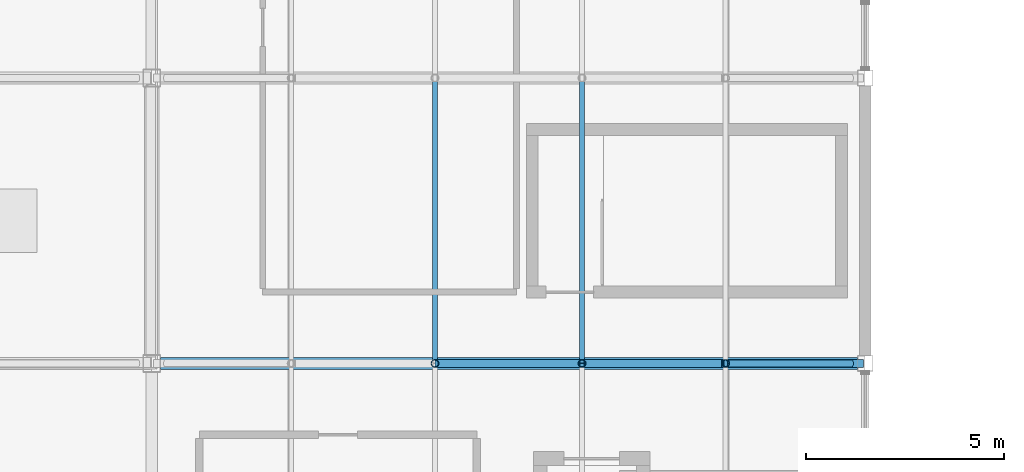
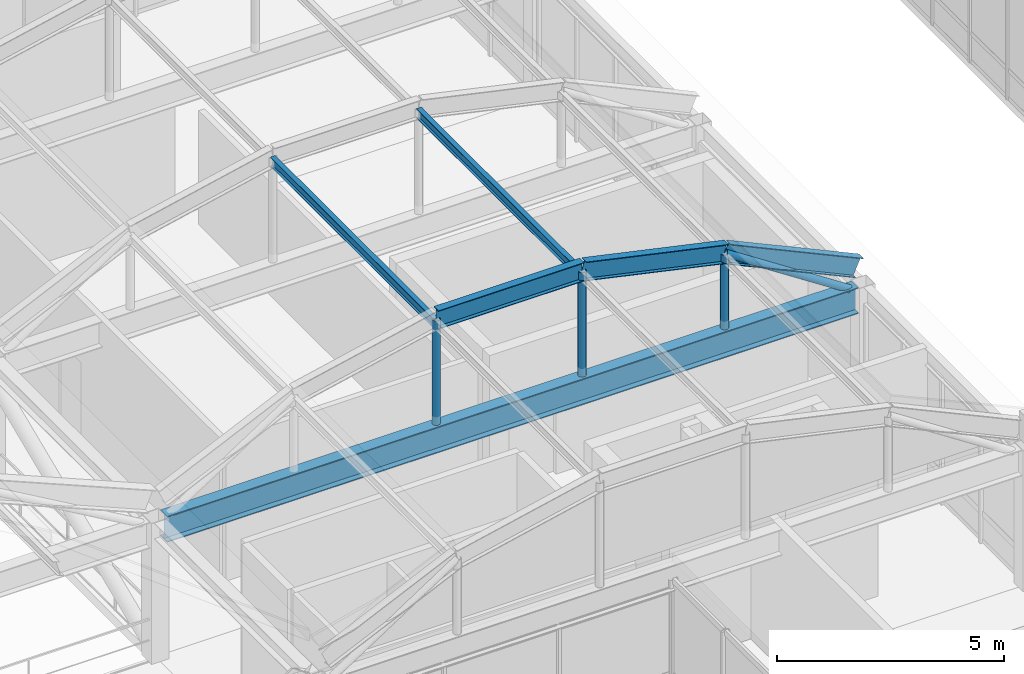
# One storey, part 48 of 106: 9 members, 1 beam.
"""IFC4 building model written with IfcOpenShell, lengths in metres."""

from ifc_helpers import new_model, si_unit, direction, frame, origin, origin_2d, place, context, subcontext, project, spatial, hollow_circle, i_section, extrude, material, material_profile, profile_set, type_object, element, save


model = new_model("IFC4")

# Units and contexts
model_context = context("Model", 3, precision=1e-05, world=origin(), true_north=direction((0.0, 1.0)))
body_context = subcontext(model_context, "Body", "Model", "MODEL_VIEW")
ifc_project = project(units=[si_unit("LENGTHUNIT", "METRE"), si_unit("AREAUNIT", "SQUARE_METRE"), si_unit("VOLUMEUNIT", "CUBIC_METRE"), si_unit("PLANEANGLEUNIT", "RADIAN"), si_unit("MASSUNIT", "GRAM", prefix="KILO")], contexts=[model_context])

# Site, building, storey
site_placement = place(None, origin())
site = spatial("IfcSite", under=ifc_project, at=site_placement, CompositionType="ELEMENT")
building_placement = place(site_placement, origin())
building = spatial("IfcBuilding", under=site, at=building_placement, Name="Kazanami Central Library", CompositionType="ELEMENT")
storey_placement = place(building_placement, frame((0.0, 0.0, 12.800048828125)))
storey = spatial("IfcBuildingStorey", under=building, at=storey_placement, Name="L04", CompositionType="ELEMENT", Elevation=12.800048828125)

# Beam
ifc_material_1 = material(Name="Steel SN490B (325 MPa)", Category="steel")
ifc_material_profile_1 = material_profile(ifc_material_1, i_section(OverallWidth=0.300048828125, OverallDepth=0.699951171875, WebThickness=0.012939453125, FlangeThickness=0.02392578125, at=origin_2d()), Name="H-700x300x13x24")
ifc_profile_set_1 = profile_set([ifc_material_profile_1], Name="Steel SN490B (325 MPa)")
beam_type = type_object("IfcBeamType", Name="BM-G-AT", PredefinedType="BEAM", material=ifc_profile_set_1)
beam_placement = place(storey_placement, frame((90.222900390625, 72.0, 3.429931640625), z_axis=(1.0, 0.0, 0.0), x_axis=(0.0, 1.0, 0.0)))
element("IfcBeam", 1, at=beam_placement, inside=storey, type_object=beam_type, Name="Barrel Vault Springing Tie Girder G-AT L04 E Grid L", PredefinedType="BEAM", context=body_context, shape_type="SweptSolid", body=[
    extrude(i_section(OverallWidth=0.300048828125, OverallDepth=0.699951171875, WebThickness=0.012939453125, FlangeThickness=0.02392578125, at=origin_2d()), origin(), (0.0, 0.0, 1.0), 17.5791015625),
])

# Members
ifc_material_profile_2 = material_profile(ifc_material_1, i_section(OverallWidth=0.199951171875, OverallDepth=0.5, WebThickness=0.010009765625, FlangeThickness=0.01611328125, at=origin_2d()), Name="H-500x200x10x16")
ifc_profile_set_2 = profile_set([ifc_material_profile_2], Name="Steel SN490B (325 MPa)")
member_type_1 = type_object("IfcMemberType", Name="MEM-AR-02", PredefinedType="CHORD", material=ifc_profile_set_2)
for number, where, z_axis, x_axis, name in (
    (2, (97.14453125, 72.0, 6.604736328125), (1.0, 0.0, 0.0), (0.0, 1.0, 0.0), "Barrel Vault Arch Rib AR-02 VAULT-EAST Grid L Seg 3"),
    (3, (100.85546875, 72.0, 6.604736328125), (0.976745687277, 0.0, -0.214401171606), (0.0, 1.0, 0.0), "Barrel Vault Arch Rib AR-02 VAULT-EAST Grid L Seg 4"),
    (4, (104.480224609375, 72.0, 5.80908203125), (0.908074880538, 0.0, -0.41880784536), (0.0, 1.0, 0.0), "Barrel Vault Arch Rib AR-02 VAULT-EAST Grid L Seg 5"),
):
    element("IfcMember", number, at=place(storey_placement, frame(where, z_axis=z_axis, x_axis=x_axis)), inside=storey, type_object=member_type_1, Name=name, PredefinedType="CHORD", context=body_context, shape_type="SweptSolid", body=[
        extrude(i_section(OverallWidth=0.199951171875, OverallDepth=0.5, WebThickness=0.010009765625, FlangeThickness=0.01611328125, at=origin_2d()), origin(), (0.0, 0.0, 1.0), 3.7109375),
    ])
ifc_material_2 = material(Name="Steel SN400B (235 MPa)", Category="steel")
ifc_material_profile_3 = material_profile(ifc_material_2, i_section(OverallWidth=0.125, OverallDepth=0.25, WebThickness=0.006103515625, FlangeThickness=0.009033203125, at=origin_2d()), Name="H-250x125x6x9")
ifc_profile_set_3 = profile_set([ifc_material_profile_3], Name="Steel SN400B (235 MPa)")
member_type_2 = type_object("IfcMemberType", Name="MEM-PUR-250", PredefinedType="PURLIN", material=ifc_profile_set_3)
for number, where, z_axis, x_axis, name in (
    (5, (97.14453125, 72.0048828125, 6.464599609375), (0.0, 1.0, 0.0), (-1.0, 0.0, 0.0), "Barrel Vault Longitudinal Purlin VAULT-EAST Knuckle 2.2"),
    (6, (100.85546875, 72.0048828125, 6.464599609375), (0.0, 1.0, 0.0), (-1.0, 0.0, 0.0), "Barrel Vault Longitudinal Purlin VAULT-EAST Knuckle 3.2"),
):
    element("IfcMember", number, at=place(storey_placement, frame(where, z_axis=z_axis, x_axis=x_axis)), inside=storey, type_object=member_type_2, Name=name, PredefinedType="PURLIN", context=body_context, shape_type="SweptSolid", body=[
        extrude(i_section(OverallWidth=0.125, OverallDepth=0.25, WebThickness=0.006103515625, FlangeThickness=0.009033203125, at=origin_2d()), origin(), (0.0, 0.0, 1.0), 7.190185546875),
    ])
ifc_material_3 = material(Name="Steel STK490 (315 MPa)", Category="steel")
ifc_material_profile_4 = material_profile(ifc_material_3, hollow_circle(Radius=0.095458984375, WallThickness=0.007080078125, at=origin_2d()), Name="CHS-190.7x7.0")
ifc_profile_set_4 = profile_set([ifc_material_profile_4], Name="Steel STK490 (315 MPa)")
member_type_3 = type_object("IfcMemberType", Name="MEM-VST-190", PredefinedType="STRUT", material=ifc_profile_set_4)
for number, where, z_axis, x_axis, name in (
    (7, (97.14453125, 72.0, 3.71484375), (0.0, 0.0, 1.0), (1.0, 0.0, 0.0), "Barrel Vault Tied-Arch Web Strut VAULT-EAST Grid L Knuckle 2"),
    (8, (100.85546875, 72.0, 3.71484375), (0.0, 0.0, 1.0), (1.0, 0.0, 0.0), "Barrel Vault Tied-Arch Web Strut VAULT-EAST Grid L Knuckle 3"),
):
    element("IfcMember", number, at=place(storey_placement, frame(where, z_axis=z_axis, x_axis=x_axis)), inside=storey, type_object=member_type_3, Name=name, PredefinedType="STRUT", context=body_context, shape_type="SweptSolid", body=[
        extrude(hollow_circle(Radius=0.095458984375, WallThickness=0.007080078125, at=origin_2d()), origin(), (0.0, 0.0, 1.0), 2.869873046875),
    ])
member_1_placement = place(storey_placement, frame((104.480224609375, 72.0, 3.71484375), z_axis=(0.0, 0.0, 1.0), x_axis=(1.0, 0.0, 0.0)))
element("IfcMember", 9, at=member_1_placement, inside=storey, type_object=member_type_3, Name="Barrel Vault Tied-Arch Web Strut VAULT-EAST Grid L Knuckle 4", PredefinedType="STRUT", context=body_context, shape_type="SweptSolid", body=[
    extrude(hollow_circle(Radius=0.095458984375, WallThickness=0.007080078125, at=origin_2d()), origin(), (0.0, 0.0, 1.0), 2.07421875),
])
member_2_placement = place(storey_placement, frame((107.64990234375, 72.0, 3.71484375), z_axis=(-0.836759504137, 0.0, 0.547570572837), x_axis=(0.0, -1.0, 0.0)))
element("IfcMember", 10, at=member_2_placement, inside=storey, type_object=member_type_3, Name="Barrel Vault Tied-Arch Diagonal VAULT-EAST Grid L (R)", PredefinedType="BRACE", context=body_context, shape_type="SweptSolid", body=[
    extrude(hollow_circle(Radius=0.095458984375, WallThickness=0.007080078125, at=origin_2d()), origin(), (0.0, 0.0, 1.0), 3.7880859375),
])

save(model, "model.ifc")
